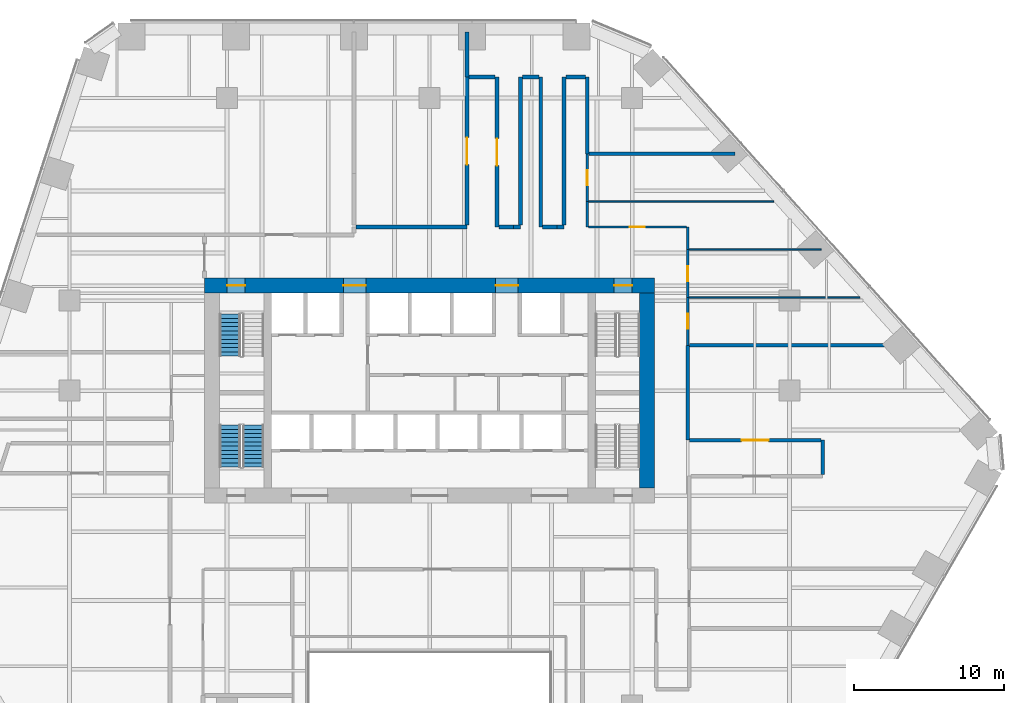
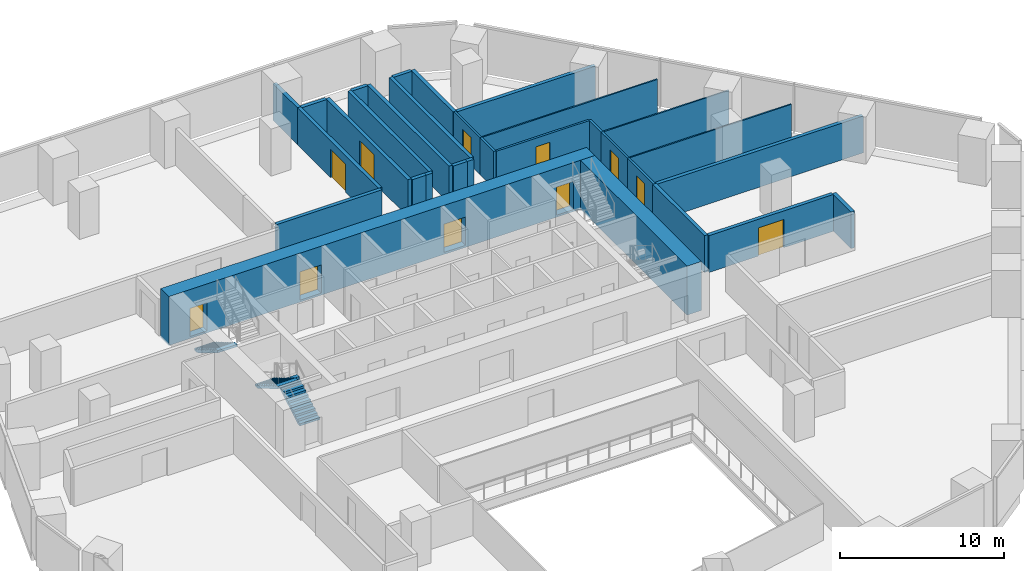
# One storey, part 16 of 21: 31 walls, 11 doors, 3 stair flights, 11 openings, 2 elements without a shape of their own.
"""IFC4 building model written with IfcOpenShell, lengths in metres."""

from ifc_helpers import new_model, si_unit, direction, frame, frame_2d, origin, place, context, subcontext, project, spatial, polyline, rectangle, outline, extrude, material, layer, layer_set, type_object, element, fill, aggregate, save


model = new_model("IFC4")

# Units and contexts
model_context = context("Model", 3, precision=1e-05, world=origin(), true_north=direction((0.0, 1.0)))
body_context = subcontext(model_context, "Body", "Model", "MODEL_VIEW")
ifc_project = project(units=[si_unit("LENGTHUNIT", "METRE"), si_unit("AREAUNIT", "SQUARE_METRE"), si_unit("VOLUMEUNIT", "CUBIC_METRE"), si_unit("PLANEANGLEUNIT", "RADIAN"), si_unit("MASSUNIT", "GRAM", prefix="KILO")], contexts=[model_context])

# Site, building, storey
site_placement = place(None, origin())
site = spatial("IfcSite", under=ifc_project, at=site_placement, CompositionType="ELEMENT")
building_placement = place(site_placement, origin())
building = spatial("IfcBuilding", under=site, at=building_placement, Name="Isthmus Gate Tower", CompositionType="ELEMENT")
storey_placement = place(building_placement, frame((0.0, 0.0, 46.949951171875)))
storey = spatial("IfcBuildingStorey", under=building, at=storey_placement, Name="L09", CompositionType="ELEMENT", Elevation=46.949951171875)

# Wall, opening, door
ifc_material_1 = material(Name="Double-leaf acoustic stud wall, fire-rated", Category="gypsum")
ifc_layer_1 = layer(ifc_material_1, 0.25)
ifc_layer_set_1 = layer_set([ifc_layer_1], Name="ACOUSTIC WALL 250 60 MIN")
wall_type_1 = type_object("IfcWallType", Name="ACOUSTIC WALL 250 60 MIN", PredefinedType="PARTITIONING", material=ifc_layer_set_1)
wall_1_placement = place(storey_placement, frame((4.5, 28.39990234375, 0.0), z_axis=(0.0, 0.0, 1.0), x_axis=(0.0, -1.0, 0.0)))
wall_1 = element("IfcWall", 1, at=wall_1_placement, inside=storey, type_object=wall_type_1, Name="L09 Acoustic Wall 250 60 Min", PredefinedType="PARTITIONING", context=body_context, shape_type="SweptSolid", body=[
    extrude(rectangle(XDim=10.0, YDim=0.25, at=frame_2d((5.0, 0.0))), origin(), (0.0, 0.0, 1.0), 2.7412109375),
])
opening_1_placement = place(wall_1_placement, frame((4.10009765625, 0.0, 0.0)))
opening_1 = element("IfcOpeningElement", 2, at=opening_1_placement, cuts=wall_1, Name="Opening DT-T1B-03", PredefinedType="OPENING", context=body_context, shape_type="SweptSolid", body=[
    extrude(rectangle(XDim=1.800048828125, YDim=2.10009765625, at=frame_2d((0.89990234375, 1.050048828125))), frame((0.0, 0.135009765625, 0.0), z_axis=(0.0, -1.0, 0.0), x_axis=(1.0, 0.0, 0.0)), (0.0, 0.0, 1.0), 0.27001953125),
])
ifc_material_2 = material(Name="Solid core timber door leaf, fire-rated", Category="wood")
door_type_1 = type_object("IfcDoorType", Name="FIRE DOOR ACOUSTIC ROOM 1800 X 2100 60 MIN", OperationType="DOUBLE_DOOR_DOUBLE_SWING", PredefinedType="DOOR", material=ifc_material_2)
door_1_placement = place(opening_1_placement, origin())
door_1 = element("IfcDoor", 3, at=door_1_placement, inside=storey, type_object=door_type_1, Name="L09 room door", OperationType="DOUBLE_DOOR_DOUBLE_SWING", OverallHeight=2.10009765625, OverallWidth=1.800048828125, PredefinedType="DOOR", context=body_context, shape_type="SweptSolid", body=[
    extrude(rectangle(XDim=1.800048828125, YDim=2.10009765625, at=frame_2d((0.89990234375, 1.050048828125))), frame((0.0, 0.02490234375, 0.0), z_axis=(0.0, -1.0, 0.0), x_axis=(1.0, 0.0, 0.0)), (0.0, 0.0, 1.0), 0.050048828125),
])
fill(opening_1, door_1)

# Walls
wall_2_placement = place(storey_placement, frame((7.39990234375, 28.39990234375, 0.0), z_axis=(0.0, 0.0, 1.0), x_axis=(0.0, -1.0, 0.0)))
element("IfcWall", 4, at=wall_2_placement, inside=storey, type_object=wall_type_1, Name="L09 Acoustic Wall 250 60 Min", PredefinedType="PARTITIONING", context=body_context, shape_type="SweptSolid", body=[
    extrude(rectangle(XDim=10.0, YDim=0.25, at=frame_2d((5.0, 0.0))), origin(), (0.0, 0.0, 1.0), 2.7412109375),
])
wall_3_placement = place(storey_placement, frame((10.5, 28.39990234375, 0.0), z_axis=(0.0, 0.0, 1.0), x_axis=(0.0, -1.0, 0.0)))
element("IfcWall", 5, at=wall_3_placement, inside=storey, type_object=wall_type_1, Name="L09 Acoustic Wall 250 60 Min", PredefinedType="PARTITIONING", context=body_context, shape_type="SweptSolid", body=[
    extrude(rectangle(XDim=5.116943359375, YDim=0.25, at=frame_2d((2.55859375, 0.0))), origin(), (0.0, 0.0, 1.0), 2.7412109375),
])
wall_4_placement = place(storey_placement, frame((17.199951171875, 10.51708984375, 0.0), z_axis=(0.0, 0.0, 1.0), x_axis=(0.0, -1.0, 0.0)))
element("IfcWall", 6, at=wall_4_placement, inside=storey, type_object=wall_type_1, Name="L09 Acoustic Wall 250 60 Min", PredefinedType="PARTITIONING", context=body_context, shape_type="SweptSolid", body=[
    extrude(rectangle(XDim=6.317138671875, YDim=0.25, at=frame_2d((3.15869140625, 0.0))), origin(), (0.0, 0.0, 1.0), 2.7412109375),
])
wall_5_placement = place(storey_placement, frame((26.199951171875, 4.199951171875, 0.0), z_axis=(0.0, 0.0, 1.0), x_axis=(0.0, -1.0, 0.0)))
element("IfcWall", 7, at=wall_5_placement, inside=storey, type_object=wall_type_1, Name="L09 Acoustic Wall 250 60 Min", PredefinedType="PARTITIONING", context=body_context, shape_type="SweptSolid", body=[
    extrude(rectangle(XDim=2.27490234375, YDim=0.25, at=frame_2d((1.137451171875, 0.0))), origin(), (0.0, 0.0, 1.0), 2.7412109375),
])
wall_6_placement = place(storey_placement, frame((-4.909912109375, 18.39990234375, 0.0), z_axis=(0.0, 0.0, 1.0), x_axis=(1.0, 0.0, 0.0)))
element("IfcWall", 8, at=wall_6_placement, inside=storey, type_object=wall_type_1, Name="L09 Acoustic Wall 250 60 Min", PredefinedType="PARTITIONING", context=body_context, shape_type="SweptSolid", body=[
    extrude(rectangle(XDim=7.409912109375, YDim=0.25, at=frame_2d((3.705078125, 0.0))), origin(), (0.0, 0.0, 1.0), 2.7412109375),
])

# Wall, opening, door
wall_7_placement = place(storey_placement, frame((2.5, 18.52490234375, 0.0), z_axis=(0.0, 0.0, 1.0), x_axis=(0.0, 1.0, 0.0)))
wall_7 = element("IfcWall", 9, at=wall_7_placement, inside=storey, type_object=wall_type_1, Name="L09 Acoustic Wall 250 60 Min", PredefinedType="PARTITIONING", context=body_context, shape_type="SweptSolid", body=[
    extrude(rectangle(XDim=9.875, YDim=0.25, at=frame_2d((4.9375, 0.0))), origin(), (0.0, 0.0, 1.0), 2.7412109375),
])
opening_2_placement = place(wall_7_placement, frame((4.03759765625, 0.0, 0.0)))
opening_2 = element("IfcOpeningElement", 10, at=opening_2_placement, cuts=wall_7, Name="Opening DT-T1B-02", PredefinedType="OPENING", context=body_context, shape_type="SweptSolid", body=[
    extrude(rectangle(XDim=1.800048828125, YDim=2.10009765625, at=frame_2d((0.89990234375, 1.050048828125))), frame((0.0, 0.135009765625, 0.0), z_axis=(0.0, -1.0, 0.0), x_axis=(1.0, 0.0, 0.0)), (0.0, 0.0, 1.0), 0.27001953125),
])
door_2_placement = place(opening_2_placement, origin())
door_2 = element("IfcDoor", 11, at=door_2_placement, inside=storey, type_object=door_type_1, Name="L09 room door", OperationType="DOUBLE_DOOR_DOUBLE_SWING", OverallHeight=2.10009765625, OverallWidth=1.800048828125, PredefinedType="DOOR", context=body_context, shape_type="SweptSolid", body=[
    extrude(rectangle(XDim=1.800048828125, YDim=2.10009765625, at=frame_2d((0.89990234375, 1.050048828125))), frame((0.0, 0.02490234375, 0.0), z_axis=(0.0, -1.0, 0.0), x_axis=(1.0, 0.0, 0.0)), (0.0, 0.0, 1.0), 0.050048828125),
])
fill(opening_2, door_2)

# Walls
wall_8_placement = place(storey_placement, frame((2.498046875, 28.39990234375, 0.0), z_axis=(0.0, 0.0, 1.0), x_axis=(0.0, 1.0, 0.0)))
element("IfcWall", 12, at=wall_8_placement, inside=storey, type_object=wall_type_1, Name="L09 Acoustic Wall 250 60 Min", PredefinedType="PARTITIONING", context=body_context, shape_type="SweptSolid", body=[
    extrude(rectangle(XDim=3.0, YDim=0.25, at=frame_2d((1.5, 0.0))), origin(), (0.0, 0.0, 1.0), 2.7412109375),
])
wall_9_placement = place(storey_placement, frame((2.625, 28.39990234375, 0.0), z_axis=(0.0, 0.0, 1.0), x_axis=(1.0, 0.0, 0.0)))
element("IfcWall", 13, at=wall_9_placement, inside=storey, type_object=wall_type_1, Name="L09 Acoustic Wall 250 60 Min", PredefinedType="PARTITIONING", context=body_context, shape_type="SweptSolid", body=[
    extrude(rectangle(XDim=1.75, YDim=0.25, at=frame_2d((0.875, 0.0))), origin(), (0.0, 0.0, 1.0), 2.7412109375),
])
wall_10_placement = place(storey_placement, frame((4.625, 18.39990234375, 0.0), z_axis=(0.0, 0.0, 1.0), x_axis=(1.0, 0.0, 0.0)))
element("IfcWall", 14, at=wall_10_placement, inside=storey, type_object=wall_type_1, Name="L09 Acoustic Wall 250 60 Min", PredefinedType="PARTITIONING", context=body_context, shape_type="SweptSolid", body=[
    extrude(rectangle(XDim=0.972900390625, YDim=0.25, at=frame_2d((0.486328125, 0.0))), origin(), (0.0, 0.0, 1.0), 2.7412109375),
])
wall_11_placement = place(storey_placement, frame((5.597900390625, 18.39794921875, 0.0), z_axis=(0.0, 0.0, 1.0), x_axis=(1.0, 0.0, 0.0)))
element("IfcWall", 15, at=wall_11_placement, inside=storey, type_object=wall_type_1, Name="L09 Acoustic Wall 250 60 Min", PredefinedType="PARTITIONING", context=body_context, shape_type="SweptSolid", body=[
    extrude(rectangle(XDim=0.4541015625, YDim=0.25, at=frame_2d((0.22705078125, 0.0))), origin(), (0.0, 0.0, 1.0), 2.7412109375),
])
wall_12_placement = place(storey_placement, frame((6.052001953125, 18.52294921875, 0.0), z_axis=(0.0, 0.0, 1.0), x_axis=(0.0, 1.0, 0.0)))
element("IfcWall", 16, at=wall_12_placement, inside=storey, type_object=wall_type_1, Name="L09 Acoustic Wall 250 60 Min", PredefinedType="PARTITIONING", context=body_context, shape_type="SweptSolid", body=[
    extrude(rectangle(XDim=9.876953125, YDim=0.25, at=frame_2d((4.9384765625, 0.0))), origin(), (0.0, 0.0, 1.0), 2.7412109375),
])
wall_13_placement = place(storey_placement, frame((6.177001953125, 28.39990234375, 0.0), z_axis=(0.0, 0.0, 1.0), x_axis=(1.0, 0.0, 0.0)))
element("IfcWall", 17, at=wall_13_placement, inside=storey, type_object=wall_type_1, Name="L09 Acoustic Wall 250 60 Min", PredefinedType="PARTITIONING", context=body_context, shape_type="SweptSolid", body=[
    extrude(rectangle(XDim=1.097900390625, YDim=0.25, at=frame_2d((0.548828125, 0.0))), origin(), (0.0, 0.0, 1.0), 2.7412109375),
])
wall_14_placement = place(storey_placement, frame((7.52490234375, 18.39990234375, 0.0), z_axis=(0.0, 0.0, 1.0), x_axis=(1.0, 0.0, 0.0)))
element("IfcWall", 18, at=wall_14_placement, inside=storey, type_object=wall_type_1, Name="L09 Acoustic Wall 250 60 Min", PredefinedType="PARTITIONING", context=body_context, shape_type="SweptSolid", body=[
    extrude(rectangle(XDim=0.97314453125, YDim=0.25, at=frame_2d((0.486572265625, 0.0))), origin(), (0.0, 0.0, 1.0), 2.7412109375),
])
wall_15_placement = place(storey_placement, frame((8.498046875, 18.39794921875, 0.0), z_axis=(0.0, 0.0, 1.0), x_axis=(1.0, 0.0, 0.0)))
element("IfcWall", 19, at=wall_15_placement, inside=storey, type_object=wall_type_1, Name="L09 Acoustic Wall 250 60 Min", PredefinedType="PARTITIONING", context=body_context, shape_type="SweptSolid", body=[
    extrude(rectangle(XDim=0.453857421875, YDim=0.25, at=frame_2d((0.22705078125, 0.0))), origin(), (0.0, 0.0, 1.0), 2.7412109375),
])
wall_16_placement = place(storey_placement, frame((8.951904296875, 18.52294921875, 0.0), z_axis=(0.0, 0.0, 1.0), x_axis=(0.0, 1.0, 0.0)))
element("IfcWall", 20, at=wall_16_placement, inside=storey, type_object=wall_type_1, Name="L09 Acoustic Wall 250 60 Min", PredefinedType="PARTITIONING", context=body_context, shape_type="SweptSolid", body=[
    extrude(rectangle(XDim=9.876953125, YDim=0.25, at=frame_2d((4.9384765625, 0.0))), origin(), (0.0, 0.0, 1.0), 2.7412109375),
])
wall_17_placement = place(storey_placement, frame((9.076904296875, 28.39990234375, 0.0), z_axis=(0.0, 0.0, 1.0), x_axis=(1.0, 0.0, 0.0)))
element("IfcWall", 21, at=wall_17_placement, inside=storey, type_object=wall_type_1, Name="L09 Acoustic Wall 250 60 Min", PredefinedType="PARTITIONING", context=body_context, shape_type="SweptSolid", body=[
    extrude(rectangle(XDim=1.298095703125, YDim=0.25, at=frame_2d((0.64892578125, 0.0))), origin(), (0.0, 0.0, 1.0), 2.7412109375),
])
wall_18_placement = place(storey_placement, frame((10.625, 23.282958984375, 0.0), z_axis=(0.0, 0.0, 1.0), x_axis=(1.0, 0.0, 0.0)))
element("IfcWall", 22, at=wall_18_placement, inside=storey, type_object=wall_type_1, Name="L09 Acoustic Wall 250 60 Min", PredefinedType="PARTITIONING", context=body_context, shape_type="SweptSolid", body=[
    extrude(rectangle(XDim=9.721923828125, YDim=0.25, at=frame_2d((4.86083984375, 0.0))), origin(), (0.0, 0.0, 1.0), 2.7412109375),
])
wall_19_placement = place(storey_placement, frame((17.324951171875, 10.51708984375, 0.0), z_axis=(0.0, 0.0, 1.0), x_axis=(1.0, 0.0, 0.0)))
element("IfcWall", 23, at=wall_19_placement, inside=storey, type_object=wall_type_1, Name="L09 Acoustic Wall 250 60 Min", PredefinedType="PARTITIONING", context=body_context, shape_type="SweptSolid", body=[
    extrude(rectangle(XDim=14.51708984375, YDim=0.25, at=frame_2d((7.258544921875, 0.0))), origin(), (0.0, 0.0, 1.0), 2.7412109375),
])

# Wall, opening, door
wall_20_placement = place(storey_placement, frame((17.324951171875, 4.199951171875, 0.0), z_axis=(0.0, 0.0, 1.0), x_axis=(1.0, 0.0, 0.0)))
wall_20 = element("IfcWall", 24, at=wall_20_placement, inside=storey, type_object=wall_type_1, Name="L09 Acoustic Wall 250 60 Min", PredefinedType="PARTITIONING", context=body_context, shape_type="SweptSolid", body=[
    extrude(rectangle(XDim=8.75, YDim=0.25, at=frame_2d((4.375, 0.0))), origin(), (0.0, 0.0, 1.0), 2.7412109375),
])
opening_3_placement = place(wall_20_placement, frame((3.47509765625, 0.0, 0.0)))
opening_3 = element("IfcOpeningElement", 25, at=opening_3_placement, cuts=wall_20, Name="Opening DT-T1B-11", PredefinedType="OPENING", context=body_context, shape_type="SweptSolid", body=[
    extrude(rectangle(XDim=1.800048828125, YDim=2.10009765625, at=frame_2d((0.89990234375, 1.050048828125))), frame((0.0, 0.135009765625, 0.0), z_axis=(0.0, -1.0, 0.0), x_axis=(1.0, 0.0, 0.0)), (0.0, 0.0, 1.0), 0.27001953125),
])
door_3_placement = place(opening_3_placement, origin())
door_3 = element("IfcDoor", 26, at=door_3_placement, inside=storey, type_object=door_type_1, Name="L09 room door", OperationType="DOUBLE_DOOR_DOUBLE_SWING", OverallHeight=2.10009765625, OverallWidth=1.800048828125, PredefinedType="DOOR", context=body_context, shape_type="SweptSolid", body=[
    extrude(rectangle(XDim=1.800048828125, YDim=2.10009765625, at=frame_2d((0.89990234375, 1.050048828125))), frame((0.0, 0.02490234375, 0.0), z_axis=(0.0, -1.0, 0.0), x_axis=(1.0, 0.0, 0.0)), (0.0, 0.0, 1.0), 0.050048828125),
])
fill(opening_3, door_3)

ifc_material_3 = material(Name="Gypsum board on steel studs, fire-rated", Category="steel")
ifc_layer_2 = layer(ifc_material_3, 0.14990234375)
ifc_layer_set_2 = layer_set([ifc_layer_2], Name="CORRIDOR WALL 150 60 MIN")
wall_type_2 = type_object("IfcWallType", Name="CORRIDOR WALL 150 60 MIN", PredefinedType="PARTITIONING", material=ifc_layer_set_2)
wall_21_placement = place(storey_placement, frame((10.5, 23.282958984375, 0.0), z_axis=(0.0, 0.0, 1.0), x_axis=(0.0, -1.0, 0.0)))
wall_21 = element("IfcWall", 27, at=wall_21_placement, inside=storey, type_object=wall_type_2, Name="L09 Corridor Wall 150 60 Min", PredefinedType="PARTITIONING", context=body_context, shape_type="SweptSolid", body=[
    extrude(rectangle(XDim=3.19091796875, YDim=0.14990234375, at=frame_2d((1.595458984375, 0.0))), origin(), (0.0, 0.0, 1.0), 2.7412109375),
])
opening_4_placement = place(wall_21_placement, frame((1.095458984375, 0.0, 0.0)))
opening_4 = element("IfcOpeningElement", 28, at=opening_4_placement, cuts=wall_21, Name="Opening DT-T1B-04", PredefinedType="OPENING", context=body_context, shape_type="SweptSolid", body=[
    extrude(rectangle(XDim=1.0, YDim=2.10009765625, at=frame_2d((0.5, 1.050048828125))), frame((0.0, 0.0849609375, 0.0), z_axis=(0.0, -1.0, 0.0), x_axis=(1.0, 0.0, 0.0)), (0.0, 0.0, 1.0), 0.169921875),
])
ifc_material_4 = material(Name="Solid core timber door leaf, fire-rated", Category="wood")
door_type_2 = type_object("IfcDoorType", Name="FIRE DOOR ROOM 1000 X 2100 60 MIN", OperationType="SINGLE_SWING_LEFT", PredefinedType="DOOR", material=ifc_material_4)
door_4_placement = place(opening_4_placement, origin())
door_4 = element("IfcDoor", 29, at=door_4_placement, inside=storey, type_object=door_type_2, Name="L09 room door", OperationType="SINGLE_SWING_RIGHT", OverallHeight=2.10009765625, OverallWidth=1.0, PredefinedType="DOOR", context=body_context, shape_type="SweptSolid", body=[
    extrude(rectangle(XDim=1.0, YDim=2.10009765625, at=frame_2d((0.5, 1.050048828125))), frame((0.0, 0.02490234375, 0.0), z_axis=(0.0, -1.0, 0.0), x_axis=(1.0, 0.0, 0.0)), (0.0, 0.0, 1.0), 0.050048828125),
])
fill(opening_4, door_4)

# Walls
wall_22_placement = place(storey_placement, frame((10.5, 20.092041015625, 0.0), z_axis=(0.0, 0.0, 1.0), x_axis=(0.0, -1.0, 0.0)))
element("IfcWall", 30, at=wall_22_placement, inside=storey, type_object=wall_type_2, Name="L09 Corridor Wall 150 60 Min", PredefinedType="PARTITIONING", context=body_context, shape_type="SweptSolid", body=[
    extrude(rectangle(XDim=1.692138671875, YDim=0.14990234375, at=frame_2d((0.84619140625, 0.0))), origin(), (0.0, 0.0, 1.0), 2.7412109375),
])
wall_23_placement = place(storey_placement, frame((17.199951171875, 18.39990234375, 0.0), z_axis=(0.0, 0.0, 1.0), x_axis=(0.0, -1.0, 0.0)))
element("IfcWall", 31, at=wall_23_placement, inside=storey, type_object=wall_type_2, Name="L09 Corridor Wall 150 60 Min", PredefinedType="PARTITIONING", context=body_context, shape_type="SweptSolid", body=[
    extrude(rectangle(XDim=1.5, YDim=0.14990234375, at=frame_2d((0.75, 0.0))), origin(), (0.0, 0.0, 1.0), 2.7412109375),
])

# Wall, opening, door
wall_24_placement = place(storey_placement, frame((17.199951171875, 16.89990234375, 0.0), z_axis=(0.0, 0.0, 1.0), x_axis=(0.0, -1.0, 0.0)))
wall_24 = element("IfcWall", 32, at=wall_24_placement, inside=storey, type_object=wall_type_2, Name="L09 Corridor Wall 150 60 Min", PredefinedType="PARTITIONING", context=body_context, shape_type="SweptSolid", body=[
    extrude(rectangle(XDim=3.19091796875, YDim=0.14990234375, at=frame_2d((1.595458984375, 0.0))), origin(), (0.0, 0.0, 1.0), 2.7412109375),
])
opening_5_placement = place(wall_24_placement, frame((1.095458984375, 0.0, 0.0)))
opening_5 = element("IfcOpeningElement", 33, at=opening_5_placement, cuts=wall_24, Name="Opening DT-T1B-06", PredefinedType="OPENING", context=body_context, shape_type="SweptSolid", body=[
    extrude(rectangle(XDim=1.0, YDim=2.10009765625, at=frame_2d((0.5, 1.050048828125))), frame((0.0, 0.0849609375, 0.0), z_axis=(0.0, -1.0, 0.0), x_axis=(1.0, 0.0, 0.0)), (0.0, 0.0, 1.0), 0.169921875),
])
door_5_placement = place(opening_5_placement, origin())
door_5 = element("IfcDoor", 34, at=door_5_placement, inside=storey, type_object=door_type_2, Name="L09 room door", OperationType="SINGLE_SWING_RIGHT", OverallHeight=2.10009765625, OverallWidth=1.0, PredefinedType="DOOR", context=body_context, shape_type="SweptSolid", body=[
    extrude(rectangle(XDim=1.0, YDim=2.10009765625, at=frame_2d((0.5, 1.050048828125))), frame((0.0, 0.02490234375, 0.0), z_axis=(0.0, -1.0, 0.0), x_axis=(1.0, 0.0, 0.0)), (0.0, 0.0, 1.0), 0.050048828125),
])
fill(opening_5, door_5)

wall_25_placement = place(storey_placement, frame((17.199951171875, 13.708984375, 0.0), z_axis=(0.0, 0.0, 1.0), x_axis=(0.0, -1.0, 0.0)))
wall_25 = element("IfcWall", 35, at=wall_25_placement, inside=storey, type_object=wall_type_2, Name="L09 Corridor Wall 150 60 Min", PredefinedType="PARTITIONING", context=body_context, shape_type="SweptSolid", body=[
    extrude(rectangle(XDim=3.19189453125, YDim=0.14990234375, at=frame_2d((1.595947265625, 0.0))), origin(), (0.0, 0.0, 1.0), 2.7412109375),
])
opening_6_placement = place(wall_25_placement, frame((1.095947265625, 0.0, 0.0)))
opening_6 = element("IfcOpeningElement", 36, at=opening_6_placement, cuts=wall_25, Name="Opening DT-T1B-08", PredefinedType="OPENING", context=body_context, shape_type="SweptSolid", body=[
    extrude(rectangle(XDim=1.0, YDim=2.10009765625, at=frame_2d((0.5, 1.050048828125))), frame((0.0, 0.0849609375, 0.0), z_axis=(0.0, -1.0, 0.0), x_axis=(1.0, 0.0, 0.0)), (0.0, 0.0, 1.0), 0.169921875),
])
door_6_placement = place(opening_6_placement, origin())
door_6 = element("IfcDoor", 37, at=door_6_placement, inside=storey, type_object=door_type_2, Name="L09 room door", OperationType="SINGLE_SWING_RIGHT", OverallHeight=2.10009765625, OverallWidth=1.0, PredefinedType="DOOR", context=body_context, shape_type="SweptSolid", body=[
    extrude(rectangle(XDim=1.0, YDim=2.10009765625, at=frame_2d((0.5, 1.050048828125))), frame((0.0, 0.02490234375, 0.0), z_axis=(0.0, -1.0, 0.0), x_axis=(1.0, 0.0, 0.0)), (0.0, 0.0, 1.0), 0.050048828125),
])
fill(opening_6, door_6)

wall_26_placement = place(storey_placement, frame((10.574951171875, 18.39990234375, 0.0), z_axis=(0.0, 0.0, 1.0), x_axis=(1.0, 0.0, 0.0)))
wall_26 = element("IfcWall", 38, at=wall_26_placement, inside=storey, type_object=wall_type_2, Name="L09 Corridor Wall 150 60 Min", PredefinedType="PARTITIONING", context=body_context, shape_type="SweptSolid", body=[
    extrude(rectangle(XDim=6.550048828125, YDim=0.14990234375, at=frame_2d((3.27490234375, 0.0))), origin(), (0.0, 0.0, 1.0), 2.7412109375),
])
opening_7_placement = place(wall_26_placement, frame((2.77490234375, 0.0, 0.0)))
opening_7 = element("IfcOpeningElement", 39, at=opening_7_placement, cuts=wall_26, Name="Opening DT-T1B-05", PredefinedType="OPENING", context=body_context, shape_type="SweptSolid", body=[
    extrude(rectangle(XDim=1.0, YDim=2.10009765625, at=frame_2d((0.5, 1.050048828125))), frame((0.0, 0.0849609375, 0.0), z_axis=(0.0, -1.0, 0.0), x_axis=(1.0, 0.0, 0.0)), (0.0, 0.0, 1.0), 0.169921875),
])
door_7_placement = place(opening_7_placement, origin())
door_7 = element("IfcDoor", 40, at=door_7_placement, inside=storey, type_object=door_type_2, Name="L09 room door", OperationType="SINGLE_SWING_RIGHT", OverallHeight=2.10009765625, OverallWidth=1.0, PredefinedType="DOOR", context=body_context, shape_type="SweptSolid", body=[
    extrude(rectangle(XDim=1.0, YDim=2.10009765625, at=frame_2d((0.5, 1.050048828125))), frame((0.0, 0.02490234375, 0.0), z_axis=(0.0, -1.0, 0.0), x_axis=(1.0, 0.0, 0.0)), (0.0, 0.0, 1.0), 0.050048828125),
])
fill(opening_7, door_7)

# Wall, openings, doors
ifc_material_5 = material(Name="Concrete f'c 70 MPa", Category="concrete")
ifc_layer_3 = layer(ifc_material_5, 1.0)
ifc_layer_set_3 = layer_set([ifc_layer_3], Name="RC CORE WALL 1000 F'C 70")
wall_type_3 = type_object("IfcWallType", Name="RC CORE WALL 1000 F'C 70", PredefinedType="SOLIDWALL", material=ifc_layer_set_3)
wall_27_placement = place(storey_placement, frame((-15.0, 14.5, -0.14990234375), z_axis=(0.0, 0.0, 1.0), x_axis=(1.0, 0.0, 0.0)))
wall_27 = element("IfcWall", 41, at=wall_27_placement, inside=storey, type_object=wall_type_3, Name="str-corewall-L09-N", PredefinedType="SOLIDWALL", context=body_context, shape_type="SweptSolid", body=[
    extrude(rectangle(XDim=30.0, YDim=1.0, at=frame_2d((15.0, 0.0))), origin(), (0.0, 0.0, 1.0), 3.64990234375),
])
opening_8_placement = place(wall_27_placement, frame((9.25, 0.0, 0.14990234375)))
opening_8 = element("IfcOpeningElement", 42, at=opening_8_placement, cuts=wall_27, Name="Opening DC-A02-11", PredefinedType="OPENING", context=body_context, shape_type="SweptSolid", body=[
    extrude(rectangle(XDim=1.5, YDim=2.10009765625, at=frame_2d((0.75, 1.050048828125))), frame((0.0, 0.510009765625, 0.0), z_axis=(0.0, -1.0, 0.0), x_axis=(1.0, 0.0, 0.0)), (0.0, 0.0, 1.0), 1.02001953125),
])
opening_9_placement = place(wall_27_placement, frame((19.39990234375, 0.0, 0.14990234375)))
opening_9 = element("IfcOpeningElement", 43, at=opening_9_placement, cuts=wall_27, Name="Opening DC-A02-12", PredefinedType="OPENING", context=body_context, shape_type="SweptSolid", body=[
    extrude(rectangle(XDim=1.5, YDim=2.10009765625, at=frame_2d((0.75, 1.050048828125))), frame((0.0, 0.510009765625, 0.0), z_axis=(0.0, -1.0, 0.0), x_axis=(1.0, 0.0, 0.0)), (0.0, 0.0, 1.0), 1.02001953125),
])
opening_10_placement = place(wall_27_placement, frame((1.5, 0.0, 0.14990234375)))
opening_10 = element("IfcOpeningElement", 44, at=opening_10_placement, cuts=wall_27, Name="Opening DC-A02-13", PredefinedType="OPENING", context=body_context, shape_type="SweptSolid", body=[
    extrude(rectangle(XDim=1.199951171875, YDim=2.10009765625, at=frame_2d((0.60009765625, 1.050048828125))), frame((0.0, 0.510009765625, 0.0), z_axis=(0.0, -1.0, 0.0), x_axis=(1.0, 0.0, 0.0)), (0.0, 0.0, 1.0), 1.02001953125),
])
opening_11_placement = place(wall_27_placement, frame((27.300048828125, 0.0, 0.14990234375)))
opening_11 = element("IfcOpeningElement", 45, at=opening_11_placement, cuts=wall_27, Name="Opening DC-A02-14", PredefinedType="OPENING", context=body_context, shape_type="SweptSolid", body=[
    extrude(rectangle(XDim=1.199951171875, YDim=2.10009765625, at=frame_2d((0.60009765625, 1.050048828125))), frame((0.0, 0.510009765625, 0.0), z_axis=(0.0, -1.0, 0.0), x_axis=(1.0, 0.0, 0.0)), (0.0, 0.0, 1.0), 1.02001953125),
])
ifc_material_6 = material(Name="Steel door leaf, fire-rated", Category="steel")
door_type_3 = type_object("IfcDoorType", Name="LOBBY FIRE DOOR 1500 X 2100 60 MIN", OperationType="DOUBLE_DOOR_SINGLE_SWING", PredefinedType="DOOR", material=ifc_material_6)
door_8_placement = place(opening_9_placement, origin())
door_8 = element("IfcDoor", 46, at=door_8_placement, inside=storey, type_object=door_type_3, Name="Lobby Door PN-E", OperationType="DOUBLE_DOOR_SINGLE_SWING", OverallHeight=2.10009765625, OverallWidth=1.5, PredefinedType="DOOR", context=body_context, shape_type="SweptSolid", body=[
    extrude(rectangle(XDim=1.5, YDim=2.10009765625, at=frame_2d((0.75, 1.050048828125))), frame((0.0, 0.02490234375, 0.0), z_axis=(0.0, -1.0, 0.0), x_axis=(1.0, 0.0, 0.0)), (0.0, 0.0, 1.0), 0.050048828125),
])
fill(opening_9, door_8)
ifc_material_7 = material(Name="Steel door leaf, fire-rated", Category="steel")
door_type_4 = type_object("IfcDoorType", Name="LOBBY FIRE DOOR 1500 X 2100 90 MIN", OperationType="DOUBLE_DOOR_SINGLE_SWING", PredefinedType="DOOR", material=ifc_material_7)
door_9_placement = place(opening_8_placement, origin())
door_9 = element("IfcDoor", 47, at=door_9_placement, inside=storey, type_object=door_type_4, Name="Lobby Door PN-W", OperationType="DOUBLE_DOOR_SINGLE_SWING", OverallHeight=2.10009765625, OverallWidth=1.5, PredefinedType="DOOR", context=body_context, shape_type="SweptSolid", body=[
    extrude(rectangle(XDim=1.5, YDim=2.10009765625, at=frame_2d((0.75, 1.050048828125))), frame((0.0, 0.02490234375, 0.0), z_axis=(0.0, -1.0, 0.0), x_axis=(1.0, 0.0, 0.0)), (0.0, 0.0, 1.0), 0.050048828125),
])
fill(opening_8, door_9)
ifc_material_8 = material(Name="Steel door leaf, fire-rated", Category="steel")
door_type_5 = type_object("IfcDoorType", Name="STAIR FIRE DOOR 1200 X 2100 90 MIN", OperationType="SINGLE_SWING_LEFT", PredefinedType="DOOR", material=ifc_material_8)
door_10_placement = place(opening_10_placement, origin())
door_10 = element("IfcDoor", 48, at=door_10_placement, inside=storey, type_object=door_type_5, Name="Exit Stair 1 Door", OperationType="SINGLE_SWING_RIGHT", OverallHeight=2.10009765625, OverallWidth=1.199951171875, PredefinedType="DOOR", context=body_context, shape_type="SweptSolid", body=[
    extrude(rectangle(XDim=1.199951171875, YDim=2.10009765625, at=frame_2d((0.60009765625, 1.050048828125))), frame((0.0, 0.02490234375, 0.0), z_axis=(0.0, -1.0, 0.0), x_axis=(1.0, 0.0, 0.0)), (0.0, 0.0, 1.0), 0.050048828125),
])
fill(opening_10, door_10)
door_11_placement = place(opening_11_placement, origin())
door_11 = element("IfcDoor", 49, at=door_11_placement, inside=storey, type_object=door_type_5, Name="Exit Stair 2 Door", OperationType="SINGLE_SWING_LEFT", OverallHeight=2.10009765625, OverallWidth=1.199951171875, PredefinedType="DOOR", context=body_context, shape_type="SweptSolid", body=[
    extrude(rectangle(XDim=1.199951171875, YDim=2.10009765625, at=frame_2d((0.60009765625, 1.050048828125))), frame((0.0, 0.02490234375, 0.0), z_axis=(0.0, -1.0, 0.0), x_axis=(1.0, 0.0, 0.0)), (0.0, 0.0, 1.0), 0.050048828125),
])
fill(opening_11, door_11)

# Walls
wall_28_placement = place(storey_placement, frame((14.5, 1.0, -0.14990234375), z_axis=(0.0, 0.0, 1.0), x_axis=(0.0, 1.0, 0.0)))
element("IfcWall", 50, at=wall_28_placement, inside=storey, type_object=wall_type_3, Name="str-corewall-L09-E", PredefinedType="SOLIDWALL", context=body_context, shape_type="SweptSolid", body=[
    extrude(rectangle(XDim=13.0, YDim=1.0, at=frame_2d((6.5, 0.0))), origin(), (0.0, 0.0, 1.0), 3.64990234375),
])
ifc_material_9 = material(Name="Gypsum board on steel studs, fire-rated", Category="steel")
ifc_layer_4 = layer(ifc_material_9, 0.10009765625)
ifc_layer_set_4 = layer_set([ifc_layer_4], Name="ROOM PARTITION 100 30 MIN")
wall_type_4 = type_object("IfcWallType", Name="ROOM PARTITION 100 30 MIN", PredefinedType="PARTITIONING", material=ifc_layer_set_4)
wall_29_placement = place(storey_placement, frame((10.574951171875, 20.092041015625, 0.0), z_axis=(0.0, 0.0, 1.0), x_axis=(1.0, 0.0, 0.0)))
element("IfcWall", 51, at=wall_29_placement, inside=storey, type_object=wall_type_4, Name="L09 Room Partition 100 30 Min", PredefinedType="PARTITIONING", context=body_context, shape_type="SweptSolid", body=[
    extrude(rectangle(XDim=12.345947265625, YDim=0.10009765625, at=frame_2d((6.1728515625, 0.0))), origin(), (0.0, 0.0, 1.0), 2.7412109375),
])
wall_30_placement = place(storey_placement, frame((17.27490234375, 16.89990234375, 0.0), z_axis=(0.0, 0.0, 1.0), x_axis=(1.0, 0.0, 0.0)))
element("IfcWall", 52, at=wall_30_placement, inside=storey, type_object=wall_type_4, Name="L09 Room Partition 100 30 Min", PredefinedType="PARTITIONING", context=body_context, shape_type="SweptSolid", body=[
    extrude(rectangle(XDim=8.820068359375, YDim=0.10009765625, at=frame_2d((4.41015625, 0.0))), origin(), (0.0, 0.0, 1.0), 2.7412109375),
])
wall_31_placement = place(storey_placement, frame((17.27490234375, 13.708984375, 0.0), z_axis=(0.0, 0.0, 1.0), x_axis=(1.0, 0.0, 0.0)))
element("IfcWall", 53, at=wall_31_placement, inside=storey, type_object=wall_type_4, Name="L09 Room Partition 100 30 Min", PredefinedType="PARTITIONING", context=body_context, shape_type="SweptSolid", body=[
    extrude(rectangle(XDim=11.39306640625, YDim=0.10009765625, at=frame_2d((5.696533203125, 0.0))), origin(), (0.0, 0.0, 1.0), 2.7412109375),
])

# Stair, stair flight
ifc_material_10 = material(Name="Concrete f'c 40 MPa", Category="concrete")
stair_type = type_object("IfcStairType", Name="CORE STAIR 22 RISERS", PredefinedType="HALF_TURN_STAIR", material=ifc_material_10)
stair_1_placement = place(storey_placement, origin())
stair_1 = element("IfcStair", 54, at=stair_1_placement, inside=storey, type_object=stair_type, Name="L09 Exit Stair 1", PredefinedType="HALF_TURN_STAIR")
ifc_material_11 = material(Name="Concrete f'c 40 MPa", Category="concrete")
stair_flight_type = type_object("IfcStairFlightType", Name="STAIR FLIGHT RC 1400", PredefinedType="STRAIGHT", material=ifc_material_11)
stair_flight_1_placement = place(storey_placement, frame((-13.300048828125, 12.60009765625, 0.0), z_axis=(0.0, 0.0, 1.0), x_axis=(0.0, -1.0, 0.0)))
stair_flight_1 = element("IfcStairFlight", 55, at=stair_flight_1_placement, type_object=stair_flight_type, Name="ST1 flight 1", NumberOfRisers=11, NumberOfTreads=10, PredefinedType="STRAIGHT", RiserHeight=0.165909091, TreadLength=0.28, context=body_context, shape_type="SweptSolid", body=[
    extrude(outline(polyline([(0.0, 0.0), (0.0, 0.166015625), (0.280029296875, 0.166015625), (0.280029296875, 0.331787109375), (0.56005859375, 0.331787109375), (0.56005859375, 0.497802734375), (0.840087890625, 0.497802734375), (0.840087890625, 0.66357421875), (1.1201171875, 0.66357421875), (1.1201171875, 0.82958984375), (1.39990234375, 0.82958984375), (1.39990234375, 0.995361328125), (1.679931640625, 0.995361328125), (1.679931640625, 1.161376953125), (1.9599609375, 1.161376953125), (1.9599609375, 1.327392578125), (2.239990234375, 1.327392578125), (2.239990234375, 1.4931640625), (2.52001953125, 1.4931640625), (2.52001953125, 1.6591796875), (2.800048828125, 1.6591796875), (2.800048828125, 1.824951171875), (2.800048828125, 1.48486328125), (0.2939453125, 0.0), (0.0, 0.0)])), frame((0.0, 0.699951171875, 0.0), z_axis=(0.0, -1.0, 0.0), x_axis=(1.0, 0.0, 0.0)), (0.0, 0.0, 1.0), 1.39990234375),
])
aggregate(stair_1, [stair_flight_1])

# Stair, stair flights
stair_2_placement = place(storey_placement, origin())
stair_2 = element("IfcStair", 56, at=stair_2_placement, inside=storey, type_object=stair_type, Name="L09 Exit Stair 7", PredefinedType="HALF_TURN_STAIR")
stair_flight_2_placement = place(storey_placement, frame((-11.75, 2.39990234375, 0.0), z_axis=(0.0, 0.0, 1.0), x_axis=(0.0, 1.0, 0.0)))
stair_flight_2 = element("IfcStairFlight", 57, at=stair_flight_2_placement, type_object=stair_flight_type, Name="ST7 flight 1", NumberOfRisers=11, NumberOfTreads=10, PredefinedType="STRAIGHT", RiserHeight=0.165909091, TreadLength=0.28, context=body_context, shape_type="SweptSolid", body=[
    extrude(outline(polyline([(0.0, 0.0), (0.0, 0.166015625), (0.280029296875, 0.166015625), (0.280029296875, 0.331787109375), (0.56005859375, 0.331787109375), (0.56005859375, 0.497802734375), (0.840087890625, 0.497802734375), (0.840087890625, 0.66357421875), (1.1201171875, 0.66357421875), (1.1201171875, 0.82958984375), (1.39990234375, 0.82958984375), (1.39990234375, 0.995361328125), (1.679931640625, 0.995361328125), (1.679931640625, 1.161376953125), (1.9599609375, 1.161376953125), (1.9599609375, 1.327392578125), (2.239990234375, 1.327392578125), (2.239990234375, 1.4931640625), (2.52001953125, 1.4931640625), (2.52001953125, 1.6591796875), (2.800048828125, 1.6591796875), (2.800048828125, 1.824951171875), (2.800048828125, 1.48486328125), (0.2939453125, 0.0), (0.0, 0.0)])), frame((0.0, 0.699951171875, 0.0), z_axis=(0.0, -1.0, 0.0), x_axis=(1.0, 0.0, 0.0)), (0.0, 0.0, 1.0), 1.39990234375),
])
stair_flight_3_placement = place(storey_placement, frame((-13.300048828125, 5.199951171875, 1.824951171875), z_axis=(0.0, 0.0, 1.0), x_axis=(0.0, -1.0, 0.0)))
stair_flight_3 = element("IfcStairFlight", 58, at=stair_flight_3_placement, type_object=stair_flight_type, Name="ST7 flight 2", NumberOfRisers=11, NumberOfTreads=10, PredefinedType="STRAIGHT", RiserHeight=0.165909091, TreadLength=0.28, context=body_context, shape_type="SweptSolid", body=[
    extrude(outline(polyline([(0.0, 0.0), (0.0, 0.166015625), (0.280029296875, 0.166015625), (0.280029296875, 0.331787109375), (0.56005859375, 0.331787109375), (0.56005859375, 0.497802734375), (0.840087890625, 0.497802734375), (0.840087890625, 0.66357421875), (1.1201171875, 0.66357421875), (1.1201171875, 0.82958984375), (1.39990234375, 0.82958984375), (1.39990234375, 0.995361328125), (1.679931640625, 0.995361328125), (1.679931640625, 1.161376953125), (1.9599609375, 1.161376953125), (1.9599609375, 1.327392578125), (2.239990234375, 1.327392578125), (2.239990234375, 1.4931640625), (2.52001953125, 1.4931640625), (2.52001953125, 1.6591796875), (2.800048828125, 1.6591796875), (2.800048828125, 1.824951171875), (2.800048828125, 1.48486328125), (0.2939453125, 0.0), (0.0, 0.0)])), frame((0.0, 0.699951171875, 0.0), z_axis=(0.0, -1.0, 0.0), x_axis=(1.0, 0.0, 0.0)), (0.0, 0.0, 1.0), 1.39990234375),
])
aggregate(stair_2, [stair_flight_2, stair_flight_3])

save(model, "model.ifc")
